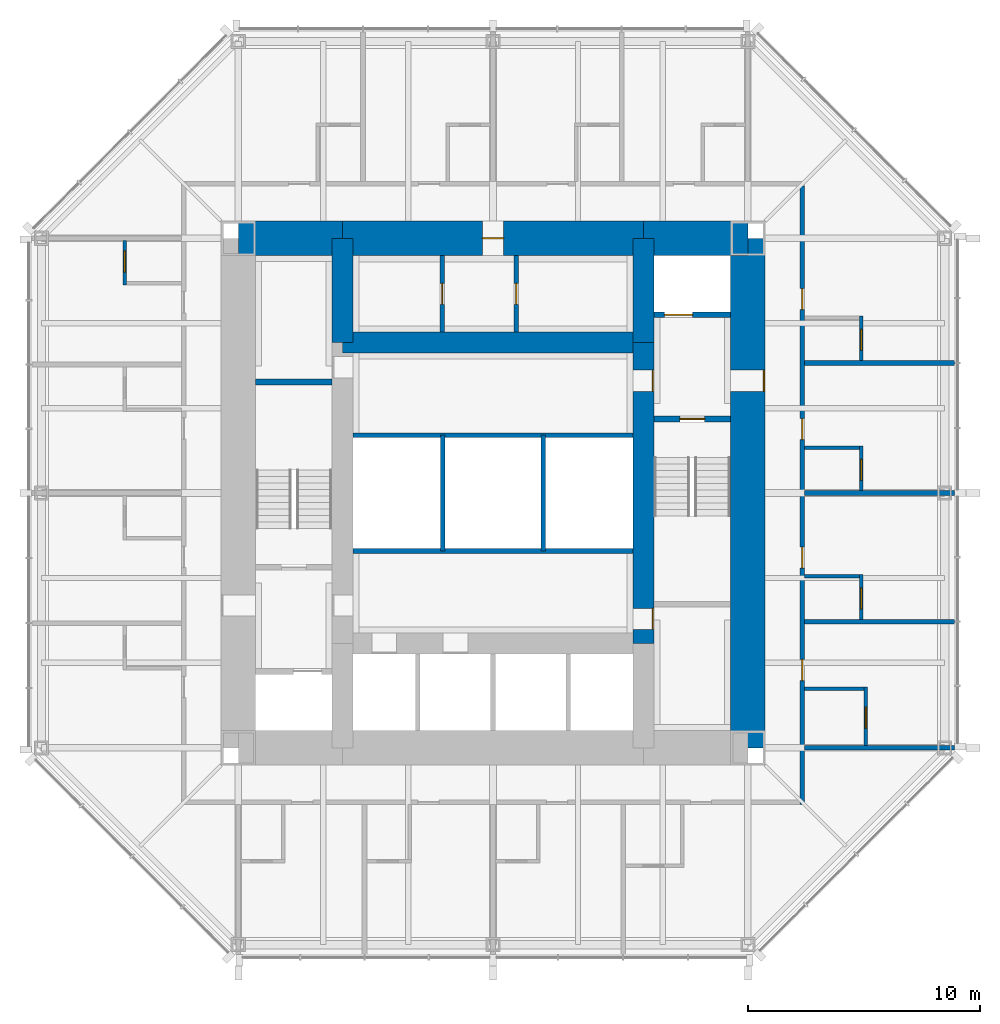
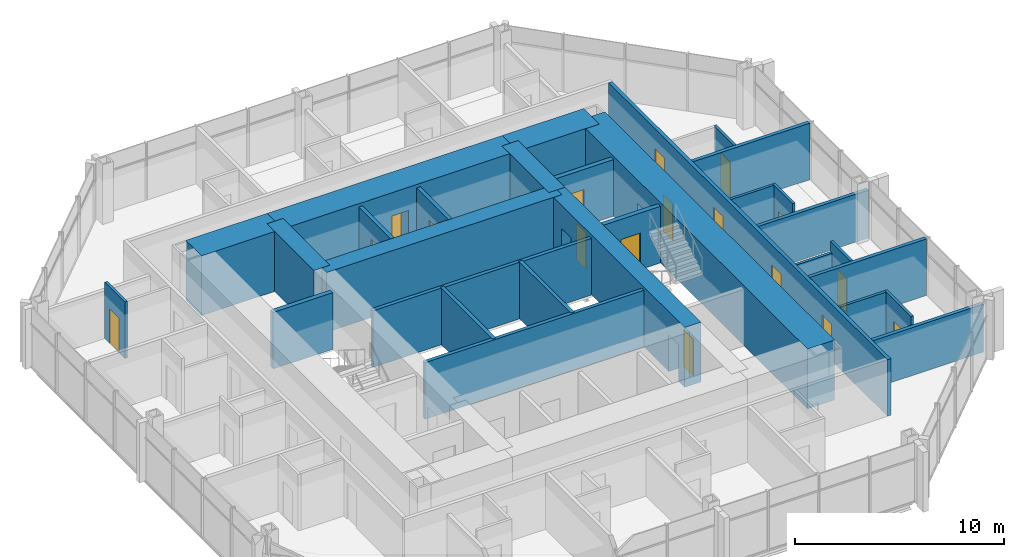
# One storey, part 9 of 12: 30 walls, 17 doors, 17 openings.
"""IFC4 building model written with IfcOpenShell, lengths in metres."""

import ifcopenshell
import ifcopenshell.guid

model = None  # the IFC model being written
_history = None  # IfcOwnerHistory: only IFC2X3 demands one
_inside = {}  # id of a spatial element -> (the spatial element, [elements in it])
_under = {}  # id of a project, library or spatial element -> (it, [spatial elements below it])
_declared = {}  # id of a project -> (the project, [libraries it declares])
_typed = {}  # id of a type object -> (the type object, [elements of that type])
_made_of = {}  # id of a material, layer set ... -> (it, [elements and type objects made of it])


def new_model(schema):
    """Start an empty IFC model of exactly this schema.

    Asked for "IFC4X3", IfcOpenShell would pick the latest addendum, in which some entities
    have other attributes; the version numbers below select the first issue.
    IFC2X3 requires an IfcOwnerHistory on every rooted entity: one is made here for all.
    """
    global model, _history
    if schema == "IFC4X3":
        model = ifcopenshell.file(schema_version=(4, 3, 0, 0))
    else:
        model = ifcopenshell.file(schema=schema)
    _inside.clear()
    _under.clear()
    _declared.clear()
    _typed.clear()
    _made_of.clear()
    _history = None
    if model.schema == "IFC2X3":
        org = make("IfcOrganization", Name="unknown")
        user = make(
            "IfcPersonAndOrganization",
            ThePerson=make("IfcPerson", FamilyName="unknown"),
            TheOrganization=org,
        )
        app = make(
            "IfcApplication",
            ApplicationDeveloper=org,
            Version="unknown",
            ApplicationFullName="unknown",
            ApplicationIdentifier="unknown",
        )
        _history = make(
            "IfcOwnerHistory",
            OwningUser=user,
            OwningApplication=app,
            ChangeAction="ADDED",
            CreationDate=0,
        )
    return model


def make(cls, **values):
    """One entity of the class cls with the attributes given. An attribute that is None is left unset."""
    return model.create_entity(
        cls, **{name: value for name, value in values.items() if value is not None}
    )


def rooted(cls, **values):
    """An entity with a GlobalId (a new one), such as an element, a storey or a relation."""
    return make(cls, GlobalId=ifcopenshell.guid.new(), OwnerHistory=_history, **values)


def si_unit(unit_type, name, prefix=None):
    """IfcSIUnit, for example si_unit("LENGTHUNIT", "METRE", prefix="MILLI")."""
    return make("IfcSIUnit", UnitType=unit_type, Prefix=prefix, Name=name)


def assignment(units):
    """IfcUnitAssignment: the units of a project."""
    return None if units is None else make("IfcUnitAssignment", Units=units)


def point(xyz):
    """IfcCartesianPoint."""
    return None if xyz is None else make("IfcCartesianPoint", Coordinates=xyz)


def direction(xyz):
    """IfcDirection."""
    return None if xyz is None else make("IfcDirection", DirectionRatios=xyz)


def frame(location, z_axis=None, x_axis=None):
    """IfcAxis2Placement3D, a coordinate frame: its origin and axes. An axis left out is left unset."""
    return make(
        "IfcAxis2Placement3D",
        Location=point(location),
        Axis=direction(z_axis),
        RefDirection=direction(x_axis),
    )


def frame_2d(location, x_axis=None):
    """IfcAxis2Placement2D, a coordinate frame in the plane: its origin and x axis."""
    return make(
        "IfcAxis2Placement2D", Location=point(location), RefDirection=direction(x_axis)
    )


def origin():
    """The frame at (0, 0, 0) with its axes left unset."""
    return frame((0.0, 0.0, 0.0))


def place(relative_to, where):
    """IfcLocalPlacement: puts the frame where relative to a parent placement (None: the world)."""
    return make(
        "IfcLocalPlacement", PlacementRelTo=relative_to, RelativePlacement=where
    )


def context(
    kind, dimensions, precision=None, world=None, true_north=None, identifier=None
):
    """IfcGeometricRepresentationContext, for example the 3D "Model" context."""
    return make(
        "IfcGeometricRepresentationContext",
        ContextIdentifier=identifier,
        ContextType=kind,
        CoordinateSpaceDimension=dimensions,
        Precision=precision,
        WorldCoordinateSystem=world,
        TrueNorth=true_north,
    )


def subcontext(parent, identifier, kind, view, scale=None):
    """IfcGeometricRepresentationSubContext, for example "Body" below "Model"."""
    return make(
        "IfcGeometricRepresentationSubContext",
        ContextIdentifier=identifier,
        ContextType=kind,
        ParentContext=parent,
        TargetScale=scale,
        TargetView=view,
    )


def project(units=None, contexts=None):
    """IfcProject with its units and contexts."""
    return rooted(
        "IfcProject",
        Name="project",
        RepresentationContexts=contexts,
        UnitsInContext=assignment(units),
    )


def spatial(cls, under=None, at=None, **own):
    """A site, building, storey or space (cls), placed at a placement, below another one or the project."""
    s = rooted(cls, ObjectPlacement=at, **own)
    if under is not None:
        _under.setdefault(under.id(), (under, []))[1].append(s)
    return s


def profile(cls, at=None, kind="AREA", **sizes):
    """A parametric profile (cls). Its sizes go by their IFC names, for example OverallWidth=200.0."""
    return make(cls, ProfileType=kind, Position=at, **sizes)


def rectangle(**sizes):
    """IfcRectangleProfileDef."""
    return profile("IfcRectangleProfileDef", **sizes)


def extrude(swept, where, along, depth):
    """IfcExtrudedAreaSolid: the profile swept, set in the frame where, extruded along a direction by depth."""
    return make(
        "IfcExtrudedAreaSolid",
        SweptArea=swept,
        Position=where,
        ExtrudedDirection=direction(along),
        Depth=depth,
    )


def shape(context_of_items, identifier, shape_type, items):
    """IfcShapeRepresentation: the items that make up one representation, for example the "Body"."""
    return make(
        "IfcShapeRepresentation",
        ContextOfItems=context_of_items,
        RepresentationIdentifier=identifier,
        RepresentationType=shape_type,
        Items=items,
    )


def material(Name=None, Category=None):
    """IfcMaterial."""
    return make("IfcMaterial", Name=Name, Category=Category)


def layer(
    of_material, thickness, ventilated=None, Name=None, Category=None, Priority=None
):
    """IfcMaterialLayer: one layer of a wall or slab, of a material (None: an air gap)."""
    return make(
        "IfcMaterialLayer",
        Material=of_material,
        LayerThickness=thickness,
        IsVentilated=ventilated,
        Name=Name,
        Category=Category,
        Priority=Priority,
    )


def layer_set(layers, Name=None):
    """IfcMaterialLayerSet."""
    return make("IfcMaterialLayerSet", MaterialLayers=layers, LayerSetName=Name)


def made_of(thing, what):
    """Note that an element or type object is made of a material, layer set ...; save() writes the relation."""
    if what is not None:
        _made_of.setdefault(what.id(), (what, []))[1].append(thing)
    return thing


def type_object(cls, material=None, **own):
    """A type object (cls), such as IfcWallType, which elements share."""
    return made_of(rooted(cls, **own), material)


def element(
    cls,
    number,
    at=None,
    inside=None,
    cuts=None,
    type_object=None,
    material=None,
    context=None,
    identifier="Body",
    shape_type=None,
    held_by="IfcProductDefinitionShape",
    body=None,
    shapes=None,
    **own,
):
    """One element of the class cls, such as IfcWall. Its Tag is "e" and its number.

    at: its placement. inside: the storey or other place that contains it. cuts: it is an
    opening in that element (IfcRelVoidsElement). A single representation is given by context,
    identifier, shape_type and body (its items); several are given by shapes. held_by: the class
    of the entity that holds the representations. save() writes the other relations.
    """
    e = rooted(cls, Tag="e%d" % number, ObjectPlacement=at, **own)
    if body is not None:
        shapes = [shape(context, identifier, shape_type, body)]
    if shapes is not None:
        e.Representation = make(held_by, Representations=shapes)
    if inside is not None:
        _inside.setdefault(inside.id(), (inside, []))[1].append(e)
    if cuts is not None:
        rooted(
            "IfcRelVoidsElement", RelatingBuildingElement=cuts, RelatedOpeningElement=e
        )
    if type_object is not None:
        _typed.setdefault(type_object.id(), (type_object, []))[1].append(e)
    return made_of(e, material)


def fill(opening, filler):
    """IfcRelFillsElement: the door or window that sits in an opening."""
    return rooted(
        "IfcRelFillsElement",
        RelatingOpeningElement=opening,
        RelatedBuildingElement=filler,
    )


def aggregate(whole, parts):
    """IfcRelAggregates: a whole, such as a stair, and the parts it consists of."""
    return rooted("IfcRelAggregates", RelatingObject=whole, RelatedObjects=parts)


def save(model, path):
    """Write the relations noted so far, then the file.

    IfcRelAggregates (storeys below a building ...), IfcRelContainedInSpatialStructure (elements
    in a storey), IfcRelDefinesByType, IfcRelAssociatesMaterial and IfcRelDeclares: one each for
    every whole, place, type object, material and project.
    """
    for whole, parts in _under.values():
        aggregate(whole, parts)
    for where, things in _inside.values():
        rooted(
            "IfcRelContainedInSpatialStructure",
            RelatedElements=things,
            RelatingStructure=where,
        )
    for kind, things in _typed.values():
        rooted("IfcRelDefinesByType", RelatedObjects=things, RelatingType=kind)
    for what, things in _made_of.values():
        rooted("IfcRelAssociatesMaterial", RelatedObjects=things, RelatingMaterial=what)
    for by, libraries in _declared.values():
        rooted("IfcRelDeclares", RelatingContext=by, RelatedDefinitions=libraries)
    model.write(path)


model = new_model("IFC4")

# Units and contexts
model_context = context("Model", 3, precision=1e-05, world=origin(), true_north=direction((0.0, 1.0)))
body_context = subcontext(model_context, "Body", "Model", "MODEL_VIEW")
ifc_project = project(units=[si_unit("LENGTHUNIT", "METRE"), si_unit("AREAUNIT", "SQUARE_METRE"), si_unit("VOLUMEUNIT", "CUBIC_METRE"), si_unit("PLANEANGLEUNIT", "RADIAN"), si_unit("MASSUNIT", "GRAM", prefix="KILO")], contexts=[model_context])

# Site, building, storey
site_placement = place(None, origin())
site = spatial("IfcSite", under=ifc_project, at=site_placement, CompositionType="ELEMENT")
building_placement = place(site_placement, origin())
building = spatial("IfcBuilding", under=site, at=building_placement, Name="Trevanion Tower", CompositionType="ELEMENT")
storey_placement = place(building_placement, frame((0.0, 0.0, 194.199951171875)))
storey = spatial("IfcBuildingStorey", under=building, at=storey_placement, Name="L45", CompositionType="ELEMENT", Elevation=194.199951171875)

# Wall, opening, door
ifc_material_1 = material(Name="Concrete 10,000 psi", Category="concrete")
ifc_layer_1 = layer(ifc_material_1, 1.5)
ifc_layer_set_1 = layer_set([ifc_layer_1], Name="CW1 core wall 1500")
wall_type_1 = type_object("IfcWallType", Name="CW1 core wall 1500", PredefinedType="SHEAR", material=ifc_layer_set_1)
wall_1_placement = place(storey_placement, frame((11.0, -11.0, 0.0), z_axis=(0.0, 0.0, 1.0), x_axis=(0.0, 1.0, 0.0)))
wall_1 = element("IfcWall", 1, at=wall_1_placement, inside=storey, type_object=wall_type_1, Name="CW1 CE L45", PredefinedType="SHEAR", context=body_context, shape_type="SweptSolid", body=[
    extrude(rectangle(XDim=22.0, YDim=1.5, at=frame_2d((11.0, 0.0))), origin(), (0.0, 0.0, 1.0), 3.5),
])
opening_1_placement = place(wall_1_placement, frame((15.392578125, 0.0, 0.0)))
opening_1 = element("IfcOpeningElement", 2, at=opening_1_placement, cuts=wall_1, Name="Opening 45-001", PredefinedType="OPENING", context=body_context, shape_type="SweptSolid", body=[
    extrude(rectangle(XDim=0.9150390625, YDim=2.134033203125, at=frame_2d((0.45751953125, 1.06689453125))), frame((0.0, 0.760009765625, 0.0), z_axis=(0.0, -1.0, 0.0), x_axis=(1.0, 0.0, 0.0)), (0.0, 0.0, 1.0), 1.52001953125),
])
ifc_material_2 = material(Name="Hollow metal, fire rated", Category="steel")
door_type_1 = type_object("IfcDoorType", Name="D3 fire lift lobby door", OperationType="SINGLE_SWING_RIGHT", PredefinedType="DOOR", material=ifc_material_2)
door_1_placement = place(opening_1_placement, origin())
door_1 = element("IfcDoor", 3, at=door_1_placement, inside=storey, type_object=door_type_1, Name="Door 45-001", OperationType="SINGLE_SWING_RIGHT", OverallHeight=2.134033203125, OverallWidth=0.9150390625, PredefinedType="DOOR", context=body_context, shape_type="SweptSolid", body=[
    extrude(rectangle(XDim=0.9150390625, YDim=2.134033203125, at=frame_2d((0.45751953125, 1.06689453125))), frame((0.0, -0.6748046875, 0.0), z_axis=(0.0, -1.0, 0.0), x_axis=(1.0, 0.0, 0.0)), (0.0, 0.0, 1.0), 0.050048828125),
])
fill(opening_1, door_1)

# Wall
wall_2_placement = place(storey_placement, frame((11.0, 11.0, 0.0), z_axis=(0.0, 0.0, 1.0), x_axis=(-1.0, 0.0, 0.0)))
element("IfcWall", 4, at=wall_2_placement, inside=storey, type_object=wall_type_1, Name="CW1 CN1 L45", PredefinedType="SHEAR", context=body_context, shape_type="SweptSolid", body=[
    extrude(rectangle(XDim=4.5, YDim=1.5, at=frame_2d((2.25, 0.0))), origin(), (0.0, 0.0, 1.0), 3.5),
])

# Wall, opening, door
wall_3_placement = place(storey_placement, frame((6.5, 11.0, 0.0), z_axis=(0.0, 0.0, 1.0), x_axis=(-1.0, 0.0, 0.0)))
wall_3 = element("IfcWall", 5, at=wall_3_placement, inside=storey, type_object=wall_type_1, Name="CW1 CN2 L45", PredefinedType="SHEAR", context=body_context, shape_type="SweptSolid", body=[
    extrude(rectangle(XDim=13.0, YDim=1.5, at=frame_2d((6.5, 0.0))), origin(), (0.0, 0.0, 1.0), 3.5),
])
opening_2_placement = place(wall_3_placement, frame((6.04248046875, 0.0, 0.0)))
opening_2 = element("IfcOpeningElement", 6, at=opening_2_placement, cuts=wall_3, Name="Opening 45-013", PredefinedType="OPENING", context=body_context, shape_type="SweptSolid", body=[
    extrude(rectangle(XDim=0.9150390625, YDim=2.134033203125, at=frame_2d((0.45751953125, 1.06689453125))), frame((0.0, 0.760009765625, 0.0), z_axis=(0.0, -1.0, 0.0), x_axis=(1.0, 0.0, 0.0)), (0.0, 0.0, 1.0), 1.52001953125),
])
ifc_material_3 = material(Name="Hollow metal, fire rated", Category="steel")
door_type_2 = type_object("IfcDoorType", Name="D5 service room door", OperationType="SINGLE_SWING_RIGHT", PredefinedType="DOOR", material=ifc_material_3)
door_2_placement = place(opening_2_placement, origin())
door_2 = element("IfcDoor", 7, at=door_2_placement, inside=storey, type_object=door_type_2, Name="Door 45-013", OperationType="SINGLE_SWING_RIGHT", OverallHeight=2.134033203125, OverallWidth=0.9150390625, PredefinedType="DOOR", context=body_context, shape_type="SweptSolid", body=[
    extrude(rectangle(XDim=0.9150390625, YDim=2.134033203125, at=frame_2d((0.45751953125, 1.06689453125))), frame((0.0, 0.02490234375, 0.0), z_axis=(0.0, -1.0, 0.0), x_axis=(1.0, 0.0, 0.0)), (0.0, 0.0, 1.0), 0.050048828125),
])
fill(opening_2, door_2)

# Wall
wall_4_placement = place(storey_placement, frame((-6.5, 11.0, 0.0), z_axis=(0.0, 0.0, 1.0), x_axis=(-1.0, 0.0, 0.0)))
element("IfcWall", 8, at=wall_4_placement, inside=storey, type_object=wall_type_1, Name="CW1 CN3 L45", PredefinedType="SHEAR", context=body_context, shape_type="SweptSolid", body=[
    extrude(rectangle(XDim=4.5, YDim=1.5, at=frame_2d((2.25, 0.0))), origin(), (0.0, 0.0, 1.0), 3.5),
])

# Wall, openings, doors
ifc_material_4 = material(Name="Concrete 10,000 psi", Category="concrete")
ifc_layer_2 = layer(ifc_material_4, 0.89990234375)
ifc_layer_set_2 = layer_set([ifc_layer_2], Name="CW2 core wall 900")
wall_type_2 = type_object("IfcWallType", Name="CW2 core wall 900", PredefinedType="SHEAR", material=ifc_layer_set_2)
wall_5_placement = place(storey_placement, frame((6.5, -6.5, 0.0), z_axis=(0.0, 0.0, 1.0), x_axis=(0.0, 1.0, 0.0)))
wall_5 = element("IfcWall", 9, at=wall_5_placement, inside=storey, type_object=wall_type_2, Name="CW2 RE2 L45", PredefinedType="SHEAR", context=body_context, shape_type="SweptSolid", body=[
    extrude(rectangle(XDim=13.0, YDim=0.89990234375, at=frame_2d((6.5, 0.0))), origin(), (0.0, 0.0, 1.0), 3.5),
])
opening_3_placement = place(wall_5_placement, frame((10.892578125, 0.0, 0.0)))
opening_3 = element("IfcOpeningElement", 10, at=opening_3_placement, cuts=wall_5, Name="Opening 45-003", PredefinedType="OPENING", context=body_context, shape_type="SweptSolid", body=[
    extrude(rectangle(XDim=0.9150390625, YDim=2.134033203125, at=frame_2d((0.45751953125, 1.06689453125))), frame((0.0, 0.4599609375, 0.0), z_axis=(0.0, -1.0, 0.0), x_axis=(1.0, 0.0, 0.0)), (0.0, 0.0, 1.0), 0.919921875),
])
opening_4_placement = place(wall_5_placement, frame((0.610107421875, 0.0, 0.0)))
opening_4 = element("IfcOpeningElement", 11, at=opening_4_placement, cuts=wall_5, Name="Opening 45-009", PredefinedType="OPENING", context=body_context, shape_type="SweptSolid", body=[
    extrude(rectangle(XDim=0.9150390625, YDim=2.134033203125, at=frame_2d((0.45751953125, 1.06689453125))), frame((0.0, 0.4599609375, 0.0), z_axis=(0.0, -1.0, 0.0), x_axis=(1.0, 0.0, 0.0)), (0.0, 0.0, 1.0), 0.919921875),
])
door_3_placement = place(opening_3_placement, origin())
door_3 = element("IfcDoor", 12, at=door_3_placement, inside=storey, type_object=door_type_1, Name="Door 45-003", OperationType="SINGLE_SWING_RIGHT", OverallHeight=2.134033203125, OverallWidth=0.9150390625, PredefinedType="DOOR", context=body_context, shape_type="SweptSolid", body=[
    extrude(rectangle(XDim=0.9150390625, YDim=2.134033203125, at=frame_2d((0.45751953125, 1.06689453125))), frame((0.0, -0.375, 0.0), z_axis=(0.0, -1.0, 0.0), x_axis=(1.0, 0.0, 0.0)), (0.0, 0.0, 1.0), 0.050048828125),
])
fill(opening_3, door_3)
door_4_placement = place(opening_4_placement, origin())
door_4 = element("IfcDoor", 13, at=door_4_placement, inside=storey, type_object=door_type_2, Name="Door 45-009", OperationType="SINGLE_SWING_RIGHT", OverallHeight=2.134033203125, OverallWidth=0.9150390625, PredefinedType="DOOR", context=body_context, shape_type="SweptSolid", body=[
    extrude(rectangle(XDim=0.9150390625, YDim=2.134033203125, at=frame_2d((0.45751953125, 1.06689453125))), frame((0.0, -0.375, 0.0), z_axis=(0.0, -1.0, 0.0), x_axis=(1.0, 0.0, 0.0)), (0.0, 0.0, 1.0), 0.050048828125),
])
fill(opening_4, door_4)

# Walls
for number, where, z_axis, x_axis, name in (
    (14, (6.5, 6.5, 0.0), (0.0, 0.0, 1.0), (0.0, 1.0, 0.0), "CW2 RE3 L45"),
    (15, (-6.5, 11.0, 0.0), (0.0, 0.0, 1.0), (0.0, -1.0, 0.0), "CW2 RW1 L45"),
):
    element("IfcWall", number, at=place(storey_placement, frame(where, z_axis=z_axis, x_axis=x_axis)), inside=storey, type_object=wall_type_2, Name=name, PredefinedType="SHEAR", context=body_context, shape_type="SweptSolid", body=[
        extrude(rectangle(XDim=4.5, YDim=0.89990234375, at=frame_2d((2.25, 0.0))), origin(), (0.0, 0.0, 1.0), 3.5),
    ])
wall_6_placement = place(storey_placement, frame((6.5, 6.5, 0.0), z_axis=(0.0, 0.0, 1.0), x_axis=(-1.0, 0.0, 0.0)))
element("IfcWall", 16, at=wall_6_placement, inside=storey, type_object=wall_type_2, Name="CW2 RN L45", PredefinedType="SHEAR", context=body_context, shape_type="SweptSolid", body=[
    extrude(rectangle(XDim=13.0, YDim=0.89990234375, at=frame_2d((6.5, 0.0))), origin(), (0.0, 0.0, 1.0), 3.5),
])

# Wall, opening, door
ifc_material_5 = material(Name="Gypsum board on steel studs", Category="steel")
ifc_layer_3 = layer(ifc_material_5, 0.14990234375)
ifc_layer_set_3 = layer_set([ifc_layer_3], Name="PT1 partition 150")
wall_type_3 = type_object("IfcWallType", Name="PT1 partition 150", PredefinedType="PARTITIONING", material=ifc_layer_set_3)
wall_7_placement = place(storey_placement, frame((16.10009765625, -10.89990234375, 0.0), z_axis=(0.0, 0.0, 1.0), x_axis=(0.0, 1.0, 0.0)))
wall_7 = element("IfcWall", 17, at=wall_7_placement, inside=storey, type_object=wall_type_3, Name="PT1 L45 BA00", PredefinedType="PARTITIONING", context=body_context, shape_type="SweptSolid", body=[
    extrude(rectangle(XDim=2.52490234375, YDim=0.14990234375, at=frame_2d((1.262451171875, 0.0))), origin(), (0.0, 0.0, 1.0), 3.31005859375),
])
opening_5_placement = place(wall_7_placement, frame((0.742431640625, 0.0, 0.0)))
opening_5 = element("IfcOpeningElement", 18, at=opening_5_placement, cuts=wall_7, Name="Opening 45-016", PredefinedType="OPENING", context=body_context, shape_type="SweptSolid", body=[
    extrude(rectangle(XDim=0.9150390625, YDim=2.031982421875, at=frame_2d((0.45751953125, 1.01611328125))), frame((0.0, 0.0849609375, 0.0), z_axis=(0.0, -1.0, 0.0), x_axis=(1.0, 0.0, 0.0)), (0.0, 0.0, 1.0), 0.169921875),
])
ifc_material_6 = material(Name="Timber veneer", Category="wood")
door_type_3 = type_object("IfcDoorType", Name="D7 bathroom door", OperationType="SINGLE_SWING_LEFT", PredefinedType="DOOR", material=ifc_material_6)
door_5_placement = place(opening_5_placement, origin())
door_5 = element("IfcDoor", 19, at=door_5_placement, inside=storey, type_object=door_type_3, Name="Door 45-016", OperationType="SINGLE_SWING_LEFT", OverallHeight=2.031982421875, OverallWidth=0.9150390625, PredefinedType="DOOR", context=body_context, shape_type="SweptSolid", body=[
    extrude(rectangle(XDim=0.9150390625, YDim=2.031982421875, at=frame_2d((0.45751953125, 1.01611328125))), frame((0.0, 0.02490234375, 0.0), z_axis=(0.0, -1.0, 0.0), x_axis=(1.0, 0.0, 0.0)), (0.0, 0.0, 1.0), 0.050048828125),
])
fill(opening_5, door_5)

# Wall
wall_8_placement = place(storey_placement, frame((13.449951171875, -8.449951171875, 0.0), z_axis=(0.0, 0.0, 1.0), x_axis=(1.0, 0.0, 0.0)))
element("IfcWall", 20, at=wall_8_placement, inside=storey, type_object=wall_type_3, Name="PT1 L45 BB00", PredefinedType="PARTITIONING", context=body_context, shape_type="SweptSolid", body=[
    extrude(rectangle(XDim=2.574951171875, YDim=0.14990234375, at=frame_2d((1.28759765625, 0.0))), origin(), (0.0, 0.0, 1.0), 3.31005859375),
])

# Wall, opening, door
wall_9_placement = place(storey_placement, frame((15.89990234375, -5.448974609375, 0.0), z_axis=(0.0, 0.0, 1.0), x_axis=(0.0, 1.0, 0.0)))
wall_9 = element("IfcWall", 21, at=wall_9_placement, inside=storey, type_object=wall_type_3, Name="PT1 L45 BA01", PredefinedType="PARTITIONING", context=body_context, shape_type="SweptSolid", body=[
    extrude(rectangle(XDim=1.925048828125, YDim=0.14990234375, at=frame_2d((0.96240234375, 0.0))), origin(), (0.0, 0.0, 1.0), 3.31005859375),
])
opening_6_placement = place(wall_9_placement, frame((0.4423828125, 0.0, 0.0)))
opening_6 = element("IfcOpeningElement", 22, at=opening_6_placement, cuts=wall_9, Name="Opening 45-018", PredefinedType="OPENING", context=body_context, shape_type="SweptSolid", body=[
    extrude(rectangle(XDim=0.9150390625, YDim=2.031982421875, at=frame_2d((0.45751953125, 1.01611328125))), frame((0.0, 0.0849609375, 0.0), z_axis=(0.0, -1.0, 0.0), x_axis=(1.0, 0.0, 0.0)), (0.0, 0.0, 1.0), 0.169921875),
])
door_6_placement = place(opening_6_placement, origin())
door_6 = element("IfcDoor", 23, at=door_6_placement, inside=storey, type_object=door_type_3, Name="Door 45-018", OperationType="SINGLE_SWING_LEFT", OverallHeight=2.031982421875, OverallWidth=0.9150390625, PredefinedType="DOOR", context=body_context, shape_type="SweptSolid", body=[
    extrude(rectangle(XDim=0.9150390625, YDim=2.031982421875, at=frame_2d((0.45751953125, 1.01611328125))), frame((0.0, 0.02490234375, 0.0), z_axis=(0.0, -1.0, 0.0), x_axis=(1.0, 0.0, 0.0)), (0.0, 0.0, 1.0), 0.050048828125),
])
fill(opening_6, door_6)

# Wall
wall_10_placement = place(storey_placement, frame((13.449951171875, -3.59912109375, 0.0), z_axis=(0.0, 0.0, 1.0), x_axis=(1.0, 0.0, 0.0)))
element("IfcWall", 24, at=wall_10_placement, inside=storey, type_object=wall_type_3, Name="PT1 L45 BB01", PredefinedType="PARTITIONING", context=body_context, shape_type="SweptSolid", body=[
    extrude(rectangle(XDim=2.375, YDim=0.14990234375, at=frame_2d((1.1875, 0.0))), origin(), (0.0, 0.0, 1.0), 2.703125),
])

# Wall, opening, door
wall_11_placement = place(storey_placement, frame((15.89990234375, 0.10009765625, 0.0), z_axis=(0.0, 0.0, 1.0), x_axis=(0.0, 1.0, 0.0)))
wall_11 = element("IfcWall", 25, at=wall_11_placement, inside=storey, type_object=wall_type_3, Name="PT1 L45 BA02", PredefinedType="PARTITIONING", context=body_context, shape_type="SweptSolid", body=[
    extrude(rectangle(XDim=1.9248046875, YDim=0.14990234375, at=frame_2d((0.96240234375, 0.0))), origin(), (0.0, 0.0, 1.0), 3.31005859375),
])
opening_7_placement = place(wall_11_placement, frame((0.4423828125, 0.0, 0.0)))
opening_7 = element("IfcOpeningElement", 26, at=opening_7_placement, cuts=wall_11, Name="Opening 45-020", PredefinedType="OPENING", context=body_context, shape_type="SweptSolid", body=[
    extrude(rectangle(XDim=0.9150390625, YDim=2.031982421875, at=frame_2d((0.45751953125, 1.01611328125))), frame((0.0, 0.0849609375, 0.0), z_axis=(0.0, -1.0, 0.0), x_axis=(1.0, 0.0, 0.0)), (0.0, 0.0, 1.0), 0.169921875),
])
door_7_placement = place(opening_7_placement, origin())
door_7 = element("IfcDoor", 27, at=door_7_placement, inside=storey, type_object=door_type_3, Name="Door 45-020", OperationType="SINGLE_SWING_LEFT", OverallHeight=2.031982421875, OverallWidth=0.9150390625, PredefinedType="DOOR", context=body_context, shape_type="SweptSolid", body=[
    extrude(rectangle(XDim=0.9150390625, YDim=2.031982421875, at=frame_2d((0.45751953125, 1.01611328125))), frame((0.0, 0.02490234375, 0.0), z_axis=(0.0, -1.0, 0.0), x_axis=(1.0, 0.0, 0.0)), (0.0, 0.0, 1.0), 0.050048828125),
])
fill(opening_7, door_7)

# Wall
wall_12_placement = place(storey_placement, frame((13.449951171875, 1.949951171875, 0.0), z_axis=(0.0, 0.0, 1.0), x_axis=(1.0, 0.0, 0.0)))
element("IfcWall", 28, at=wall_12_placement, inside=storey, type_object=wall_type_3, Name="PT1 L45 BB02", PredefinedType="PARTITIONING", context=body_context, shape_type="SweptSolid", body=[
    extrude(rectangle(XDim=2.375, YDim=0.14990234375, at=frame_2d((1.1875, 0.0))), origin(), (0.0, 0.0, 1.0), 3.31005859375),
])

# Wall, opening, door
wall_13_placement = place(storey_placement, frame((15.89990234375, 5.714111328125, 0.0), z_axis=(0.0, 0.0, 1.0), x_axis=(0.0, 1.0, 0.0)))
wall_13 = element("IfcWall", 29, at=wall_13_placement, inside=storey, type_object=wall_type_3, Name="PT1 L45 BA03", PredefinedType="PARTITIONING", context=body_context, shape_type="SweptSolid", body=[
    extrude(rectangle(XDim=1.9248046875, YDim=0.14990234375, at=frame_2d((0.96240234375, 0.0))), origin(), (0.0, 0.0, 1.0), 3.31005859375),
])
opening_8_placement = place(wall_13_placement, frame((0.4423828125, 0.0, 0.0)))
opening_8 = element("IfcOpeningElement", 30, at=opening_8_placement, cuts=wall_13, Name="Opening 45-022", PredefinedType="OPENING", context=body_context, shape_type="SweptSolid", body=[
    extrude(rectangle(XDim=0.9150390625, YDim=2.031982421875, at=frame_2d((0.45751953125, 1.01611328125))), frame((0.0, 0.0849609375, 0.0), z_axis=(0.0, -1.0, 0.0), x_axis=(1.0, 0.0, 0.0)), (0.0, 0.0, 1.0), 0.169921875),
])
door_8_placement = place(opening_8_placement, origin())
door_8 = element("IfcDoor", 31, at=door_8_placement, inside=storey, type_object=door_type_3, Name="Door 45-022", OperationType="SINGLE_SWING_LEFT", OverallHeight=2.031982421875, OverallWidth=0.9150390625, PredefinedType="DOOR", context=body_context, shape_type="SweptSolid", body=[
    extrude(rectangle(XDim=0.9150390625, YDim=2.031982421875, at=frame_2d((0.45751953125, 1.01611328125))), frame((0.0, 0.02490234375, 0.0), z_axis=(0.0, -1.0, 0.0), x_axis=(1.0, 0.0, 0.0)), (0.0, 0.0, 1.0), 0.050048828125),
])
fill(opening_8, door_8)

wall_14_placement = place(storey_placement, frame((-15.89990234375, 10.89990234375, 0.0), z_axis=(0.0, 0.0, 1.0), x_axis=(0.0, -1.0, 0.0)))
wall_14 = element("IfcWall", 32, at=wall_14_placement, inside=storey, type_object=wall_type_3, Name="PT1 L45 BA20", PredefinedType="PARTITIONING", context=body_context, shape_type="SweptSolid", body=[
    extrude(rectangle(XDim=1.9248046875, YDim=0.14990234375, at=frame_2d((0.96240234375, 0.0))), origin(), (0.0, 0.0, 1.0), 3.31005859375),
])
opening_9_placement = place(wall_14_placement, frame((0.4423828125, 0.0, 0.0)))
opening_9 = element("IfcOpeningElement", 33, at=opening_9_placement, cuts=wall_14, Name="Opening 45-032", PredefinedType="OPENING", context=body_context, shape_type="SweptSolid", body=[
    extrude(rectangle(XDim=0.9150390625, YDim=2.031982421875, at=frame_2d((0.45751953125, 1.01611328125))), frame((0.0, 0.0849609375, 0.0), z_axis=(0.0, -1.0, 0.0), x_axis=(1.0, 0.0, 0.0)), (0.0, 0.0, 1.0), 0.169921875),
])
door_9_placement = place(opening_9_placement, origin())
door_9 = element("IfcDoor", 34, at=door_9_placement, inside=storey, type_object=door_type_3, Name="Door 45-032", OperationType="SINGLE_SWING_LEFT", OverallHeight=2.031982421875, OverallWidth=0.9150390625, PredefinedType="DOOR", context=body_context, shape_type="SweptSolid", body=[
    extrude(rectangle(XDim=0.9150390625, YDim=2.031982421875, at=frame_2d((0.45751953125, 1.01611328125))), frame((0.0, 0.02490234375, 0.0), z_axis=(0.0, -1.0, 0.0), x_axis=(1.0, 0.0, 0.0)), (0.0, 0.0, 1.0), 0.050048828125),
])
fill(opening_9, door_9)

# Walls
ifc_material_7 = material(Name="Concrete masonry, grouted", Category="masonry")
ifc_layer_4 = layer(ifc_material_7, 0.199951171875)
ifc_layer_set_4 = layer_set([ifc_layer_4], Name="PT2 partition 200 1 HR")
wall_type_4 = type_object("IfcWallType", Name="PT2 partition 200 1 HR", PredefinedType="PARTITIONING", material=ifc_layer_set_4)
for number, where, z_axis, x_axis, name in (
    (35, (-6.050048828125, 2.5, 0.0), (0.0, 0.0, 1.0), (1.0, 0.0, 0.0), "PT2 L45 CP1"),
    (36, (6.050048828125, -2.5, 0.0), (0.0, 0.0, 1.0), (-1.0, 0.0, 0.0), "PT2 L45 CP2"),
):
    element("IfcWall", number, at=place(storey_placement, frame(where, z_axis=z_axis, x_axis=x_axis)), inside=storey, type_object=wall_type_4, Name=name, PredefinedType="PARTITIONING", context=body_context, shape_type="SweptSolid", body=[
        extrude(rectangle(XDim=12.10009765625, YDim=0.199951171875, at=frame_2d((6.050048828125, 0.0))), origin(), (0.0, 0.0, 1.0), 3.31005859375),
    ])

# Wall, opening, door
wall_15_placement = place(storey_placement, frame((-2.199951171875, 6.949951171875, 0.0), z_axis=(0.0, 0.0, 1.0), x_axis=(0.0, 1.0, 0.0)))
wall_15 = element("IfcWall", 37, at=wall_15_placement, inside=storey, type_object=wall_type_4, Name="PT2 L45 HKP1", PredefinedType="PARTITIONING", context=body_context, shape_type="SweptSolid", body=[
    extrude(rectangle(XDim=3.300048828125, YDim=0.199951171875, at=frame_2d((1.64990234375, 0.0))), origin(), (0.0, 0.0, 1.0), 3.31005859375),
])
opening_10_placement = place(wall_15_placement, frame((1.1923828125, 0.0, 0.0)))
opening_10 = element("IfcOpeningElement", 38, at=opening_10_placement, cuts=wall_15, Name="Opening 45-014", PredefinedType="OPENING", context=body_context, shape_type="SweptSolid", body=[
    extrude(rectangle(XDim=0.9150390625, YDim=2.134033203125, at=frame_2d((0.45751953125, 1.06689453125))), frame((0.0, 0.10986328125, 0.0), z_axis=(0.0, -1.0, 0.0), x_axis=(1.0, 0.0, 0.0)), (0.0, 0.0, 1.0), 0.219970703125),
])
door_10_placement = place(opening_10_placement, origin())
door_10 = element("IfcDoor", 39, at=door_10_placement, inside=storey, type_object=door_type_2, Name="Door 45-014", OperationType="SINGLE_SWING_RIGHT", OverallHeight=2.134033203125, OverallWidth=0.9150390625, PredefinedType="DOOR", context=body_context, shape_type="SweptSolid", body=[
    extrude(rectangle(XDim=0.9150390625, YDim=2.134033203125, at=frame_2d((0.45751953125, 1.06689453125))), frame((0.0, 0.02490234375, 0.0), z_axis=(0.0, -1.0, 0.0), x_axis=(1.0, 0.0, 0.0)), (0.0, 0.0, 1.0), 0.050048828125),
])
fill(opening_10, door_10)

wall_16_placement = place(storey_placement, frame((1.0, 6.949951171875, 0.0), z_axis=(0.0, 0.0, 1.0), x_axis=(0.0, 1.0, 0.0)))
wall_16 = element("IfcWall", 40, at=wall_16_placement, inside=storey, type_object=wall_type_4, Name="PT2 L45 HKP2", PredefinedType="PARTITIONING", context=body_context, shape_type="SweptSolid", body=[
    extrude(rectangle(XDim=3.300048828125, YDim=0.199951171875, at=frame_2d((1.64990234375, 0.0))), origin(), (0.0, 0.0, 1.0), 3.31005859375),
])
opening_11_placement = place(wall_16_placement, frame((1.1923828125, 0.0, 0.0)))
opening_11 = element("IfcOpeningElement", 41, at=opening_11_placement, cuts=wall_16, Name="Opening 45-015", PredefinedType="OPENING", context=body_context, shape_type="SweptSolid", body=[
    extrude(rectangle(XDim=0.9150390625, YDim=2.134033203125, at=frame_2d((0.45751953125, 1.06689453125))), frame((0.0, 0.10986328125, 0.0), z_axis=(0.0, -1.0, 0.0), x_axis=(1.0, 0.0, 0.0)), (0.0, 0.0, 1.0), 0.219970703125),
])
door_11_placement = place(opening_11_placement, origin())
door_11 = element("IfcDoor", 42, at=door_11_placement, inside=storey, type_object=door_type_2, Name="Door 45-015", OperationType="SINGLE_SWING_RIGHT", OverallHeight=2.134033203125, OverallWidth=0.9150390625, PredefinedType="DOOR", context=body_context, shape_type="SweptSolid", body=[
    extrude(rectangle(XDim=0.9150390625, YDim=2.134033203125, at=frame_2d((0.45751953125, 1.06689453125))), frame((0.0, 0.02490234375, 0.0), z_axis=(0.0, -1.0, 0.0), x_axis=(1.0, 0.0, 0.0)), (0.0, 0.0, 1.0), 0.050048828125),
])
fill(opening_11, door_11)

# Wall, openings, doors
wall_17_placement = place(storey_placement, frame((13.35009765625, -13.449951171875, 0.0), z_axis=(0.0, 0.0, 1.0), x_axis=(0.0, 1.0, 0.0)))
wall_17 = element("IfcWall", 43, at=wall_17_placement, inside=storey, type_object=wall_type_4, Name="PT2 L45 HC0", PredefinedType="PARTITIONING", context=body_context, shape_type="SweptSolid", body=[
    extrude(rectangle(XDim=26.699951171875, YDim=0.199951171875, at=frame_2d((13.35009765625, 0.0))), origin(), (0.0, 0.0, 1.0), 3.31005859375),
])
opening_12_placement = place(wall_17_placement, frame((5.3525390625, 0.0, 0.0)))
opening_12 = element("IfcOpeningElement", 44, at=opening_12_placement, cuts=wall_17, Name="Opening 45-017", PredefinedType="OPENING", context=body_context, shape_type="SweptSolid", body=[
    extrude(rectangle(XDim=0.9150390625, YDim=2.134033203125, at=frame_2d((0.45751953125, 1.06689453125))), frame((0.0, 0.10986328125, 0.0), z_axis=(0.0, -1.0, 0.0), x_axis=(1.0, 0.0, 0.0)), (0.0, 0.0, 1.0), 0.219970703125),
])
opening_13_placement = place(wall_17_placement, frame((10.20361328125, 0.0, 0.0)))
opening_13 = element("IfcOpeningElement", 45, at=opening_13_placement, cuts=wall_17, Name="Opening 45-019", PredefinedType="OPENING", context=body_context, shape_type="SweptSolid", body=[
    extrude(rectangle(XDim=0.9150390625, YDim=2.134033203125, at=frame_2d((0.45751953125, 1.06689453125))), frame((0.0, 0.10986328125, 0.0), z_axis=(0.0, -1.0, 0.0), x_axis=(1.0, 0.0, 0.0)), (0.0, 0.0, 1.0), 0.219970703125),
])
opening_14_placement = place(wall_17_placement, frame((15.75244140625, 0.0, 0.0)))
opening_14 = element("IfcOpeningElement", 46, at=opening_14_placement, cuts=wall_17, Name="Opening 45-021", PredefinedType="OPENING", context=body_context, shape_type="SweptSolid", body=[
    extrude(rectangle(XDim=0.9150390625, YDim=2.134033203125, at=frame_2d((0.45751953125, 1.06689453125))), frame((0.0, 0.10986328125, 0.0), z_axis=(0.0, -1.0, 0.0), x_axis=(1.0, 0.0, 0.0)), (0.0, 0.0, 1.0), 0.219970703125),
])
opening_15_placement = place(wall_17_placement, frame((21.366455078125, 0.0, 0.0)))
opening_15 = element("IfcOpeningElement", 47, at=opening_15_placement, cuts=wall_17, Name="Opening 45-023", PredefinedType="OPENING", context=body_context, shape_type="SweptSolid", body=[
    extrude(rectangle(XDim=0.9150390625, YDim=2.134033203125, at=frame_2d((0.45751953125, 1.06689453125))), frame((0.0, 0.10986328125, 0.0), z_axis=(0.0, -1.0, 0.0), x_axis=(1.0, 0.0, 0.0)), (0.0, 0.0, 1.0), 0.219970703125),
])
ifc_material_8 = material(Name="Timber veneer, fire rated", Category="wood")
door_type_4 = type_object("IfcDoorType", Name="D6 guest room entrance door", OperationType="SINGLE_SWING_LEFT", PredefinedType="DOOR", material=ifc_material_8)
door_12_placement = place(opening_12_placement, origin())
door_12 = element("IfcDoor", 48, at=door_12_placement, inside=storey, type_object=door_type_4, Name="Door 45-017", OperationType="SINGLE_SWING_LEFT", OverallHeight=2.134033203125, OverallWidth=0.9150390625, PredefinedType="DOOR", context=body_context, shape_type="SweptSolid", body=[
    extrude(rectangle(XDim=0.9150390625, YDim=2.134033203125, at=frame_2d((0.45751953125, 1.06689453125))), frame((0.0, 0.02490234375, 0.0), z_axis=(0.0, -1.0, 0.0), x_axis=(1.0, 0.0, 0.0)), (0.0, 0.0, 1.0), 0.050048828125),
])
fill(opening_12, door_12)
door_13_placement = place(opening_13_placement, origin())
door_13 = element("IfcDoor", 49, at=door_13_placement, inside=storey, type_object=door_type_4, Name="Door 45-019", OperationType="SINGLE_SWING_LEFT", OverallHeight=2.134033203125, OverallWidth=0.9150390625, PredefinedType="DOOR", context=body_context, shape_type="SweptSolid", body=[
    extrude(rectangle(XDim=0.9150390625, YDim=2.134033203125, at=frame_2d((0.45751953125, 1.06689453125))), frame((0.0, 0.02490234375, 0.0), z_axis=(0.0, -1.0, 0.0), x_axis=(1.0, 0.0, 0.0)), (0.0, 0.0, 1.0), 0.050048828125),
])
fill(opening_13, door_13)
door_14_placement = place(opening_14_placement, origin())
door_14 = element("IfcDoor", 50, at=door_14_placement, inside=storey, type_object=door_type_4, Name="Door 45-021", OperationType="SINGLE_SWING_LEFT", OverallHeight=2.134033203125, OverallWidth=0.9150390625, PredefinedType="DOOR", context=body_context, shape_type="SweptSolid", body=[
    extrude(rectangle(XDim=0.9150390625, YDim=2.134033203125, at=frame_2d((0.45751953125, 1.06689453125))), frame((0.0, 0.02490234375, 0.0), z_axis=(0.0, -1.0, 0.0), x_axis=(1.0, 0.0, 0.0)), (0.0, 0.0, 1.0), 0.050048828125),
])
fill(opening_14, door_14)
door_15_placement = place(opening_15_placement, origin())
door_15 = element("IfcDoor", 51, at=door_15_placement, inside=storey, type_object=door_type_4, Name="Door 45-023", OperationType="SINGLE_SWING_LEFT", OverallHeight=2.134033203125, OverallWidth=0.9150390625, PredefinedType="DOOR", context=body_context, shape_type="SweptSolid", body=[
    extrude(rectangle(XDim=0.9150390625, YDim=2.134033203125, at=frame_2d((0.45751953125, 1.06689453125))), frame((0.0, 0.02490234375, 0.0), z_axis=(0.0, -1.0, 0.0), x_axis=(1.0, 0.0, 0.0)), (0.0, 0.0, 1.0), 0.050048828125),
])
fill(opening_15, door_15)

# Walls
wall_18_placement = place(storey_placement, frame((13.449951171875, -11.0, 0.0), z_axis=(0.0, 0.0, 1.0), x_axis=(1.0, 0.0, 0.0)))
element("IfcWall", 52, at=wall_18_placement, inside=storey, type_object=wall_type_4, Name="PT2 L45 HD00", PredefinedType="PARTITIONING", context=body_context, shape_type="SweptSolid", body=[
    extrude(rectangle(XDim=6.465087890625, YDim=0.199951171875, at=frame_2d((3.232421875, 0.0))), origin(), (0.0, 0.0, 1.0), 2.802001953125),
])
wall_19_placement = place(storey_placement, frame((13.449951171875, -5.549072265625, 0.0), z_axis=(0.0, 0.0, 1.0), x_axis=(1.0, 0.0, 0.0)))
element("IfcWall", 53, at=wall_19_placement, inside=storey, type_object=wall_type_4, Name="PT2 L45 HD01", PredefinedType="PARTITIONING", context=body_context, shape_type="SweptSolid", body=[
    extrude(rectangle(XDim=6.465087890625, YDim=0.199951171875, at=frame_2d((3.232421875, 0.0))), origin(), (0.0, 0.0, 1.0), 3.31005859375),
])
wall_20_placement = place(storey_placement, frame((13.449951171875, 0.0, 0.0), z_axis=(0.0, 0.0, 1.0), x_axis=(1.0, 0.0, 0.0)))
element("IfcWall", 54, at=wall_20_placement, inside=storey, type_object=wall_type_4, Name="PT2 L45 HD02", PredefinedType="PARTITIONING", context=body_context, shape_type="SweptSolid", body=[
    extrude(rectangle(XDim=6.465087890625, YDim=0.199951171875, at=frame_2d((3.232421875, 0.0))), origin(), (0.0, 0.0, 1.0), 2.802001953125),
])
wall_21_placement = place(storey_placement, frame((13.449951171875, 5.614013671875, 0.0), z_axis=(0.0, 0.0, 1.0), x_axis=(1.0, 0.0, 0.0)))
element("IfcWall", 55, at=wall_21_placement, inside=storey, type_object=wall_type_4, Name="PT2 L45 HD03", PredefinedType="PARTITIONING", context=body_context, shape_type="SweptSolid", body=[
    extrude(rectangle(XDim=6.465087890625, YDim=0.199951171875, at=frame_2d((3.232421875, 0.0))), origin(), (0.0, 0.0, 1.0), 3.31005859375),
])
ifc_material_9 = material(Name="Concrete masonry, grouted", Category="masonry")
ifc_layer_5 = layer(ifc_material_9, 0.199951171875)
ifc_layer_set_5 = layer_set([ifc_layer_5], Name="PT2 partition 200 2 HR")
wall_type_5 = type_object("IfcWallType", Name="PT2 partition 200 2 HR", PredefinedType="PARTITIONING", material=ifc_layer_set_5)
for number, where, z_axis, x_axis, name in (
    (56, (-2.166748046875, -2.5, 0.0), (0.0, 0.0, 1.0), (0.0, 1.0, 0.0), "PT2 L45 MS0"),
    (57, (2.166748046875, -2.5, 0.0), (0.0, 0.0, 1.0), (0.0, 1.0, 0.0), "PT2 L45 MS1"),
):
    element("IfcWall", number, at=place(storey_placement, frame(where, z_axis=z_axis, x_axis=x_axis)), inside=storey, type_object=wall_type_5, Name=name, PredefinedType="PARTITIONING", context=body_context, shape_type="SweptSolid", body=[
        extrude(rectangle(XDim=5.0, YDim=0.199951171875, at=frame_2d((2.5, 0.0))), origin(), (0.0, 0.0, 1.0), 3.31005859375),
    ])

# Wall, opening, door
ifc_material_10 = material(Name="Concrete masonry, grouted, two-hour", Category="masonry")
ifc_layer_6 = layer(ifc_material_10, 0.25)
ifc_layer_set_6 = layer_set([ifc_layer_6], Name="PT3 partition 250 2 HR")
wall_type_6 = type_object("IfcWallType", Name="PT3 partition 250 2 HR", PredefinedType="PARTITIONING", material=ifc_layer_set_6)
wall_22_placement = place(storey_placement, frame((6.949951171875, 7.699951171875, 0.0), z_axis=(0.0, 0.0, 1.0), x_axis=(1.0, 0.0, 0.0)))
wall_22 = element("IfcWall", 58, at=wall_22_placement, inside=storey, type_object=wall_type_6, Name="PT3 L45 EP3", PredefinedType="PARTITIONING", context=body_context, shape_type="SweptSolid", body=[
    extrude(rectangle(XDim=3.300048828125, YDim=0.25, at=frame_2d((1.64990234375, 0.0))), origin(), (0.0, 0.0, 1.0), 3.31005859375),
])
opening_16_placement = place(wall_22_placement, frame((0.449951171875, 0.0, 0.0)))
opening_16 = element("IfcOpeningElement", 59, at=opening_16_placement, cuts=wall_22, Name="Opening 45-007", PredefinedType="OPENING", context=body_context, shape_type="SweptSolid", body=[
    extrude(rectangle(XDim=1.218994140625, YDim=2.134033203125, at=frame_2d((0.609375, 1.06689453125))), frame((0.0, 0.135009765625, 0.0), z_axis=(0.0, -1.0, 0.0), x_axis=(1.0, 0.0, 0.0)), (0.0, 0.0, 1.0), 0.27001953125),
])
ifc_material_11 = material(Name="Stainless steel, fire rated", Category="steel")
door_type_5 = type_object("IfcDoorType", Name="LD2 fire service lift landing door", OperationType="SLIDING_TO_LEFT", PredefinedType="DOOR", material=ifc_material_11)
door_16_placement = place(opening_16_placement, origin())
door_16 = element("IfcDoor", 60, at=door_16_placement, inside=storey, type_object=door_type_5, Name="Door 45-007", OperationType="SLIDING_TO_LEFT", OverallHeight=2.134033203125, OverallWidth=1.218994140625, PredefinedType="DOOR", context=body_context, shape_type="SweptSolid", body=[
    extrude(rectangle(XDim=1.218994140625, YDim=2.134033203125, at=frame_2d((0.609375, 1.06689453125))), frame((0.0, 0.02490234375, 0.0), z_axis=(0.0, -1.0, 0.0), x_axis=(1.0, 0.0, 0.0)), (0.0, 0.0, 1.0), 0.050048828125),
])
fill(opening_16, door_16)

# Wall
ifc_material_12 = material(Name="Reinforced masonry, fully grouted", Category="masonry")
ifc_layer_7 = layer(ifc_material_12, 0.25)
ifc_layer_set_7 = layer_set([ifc_layer_7], Name="SW1 stair shaft wall 250")
wall_type_7 = type_object("IfcWallType", Name="SW1 stair shaft wall 250", PredefinedType="SOLIDWALL", material=ifc_layer_set_7)
wall_23_placement = place(storey_placement, frame((-6.949951171875, 4.800048828125, 0.0), z_axis=(0.0, 0.0, 1.0), x_axis=(-1.0, 0.0, 0.0)))
element("IfcWall", 61, at=wall_23_placement, inside=storey, type_object=wall_type_7, Name="SW1 L45 WP1", PredefinedType="SOLIDWALL", context=body_context, shape_type="SweptSolid", body=[
    extrude(rectangle(XDim=3.300048828125, YDim=0.25, at=frame_2d((1.64990234375, 0.0))), origin(), (0.0, 0.0, 1.0), 3.31005859375),
])

# Wall, opening, door
wall_24_placement = place(storey_placement, frame((6.949951171875, 3.199951171875, 0.0), z_axis=(0.0, 0.0, 1.0), x_axis=(1.0, 0.0, 0.0)))
wall_24 = element("IfcWall", 62, at=wall_24_placement, inside=storey, type_object=wall_type_7, Name="SW1 L45 EP2", PredefinedType="SOLIDWALL", context=body_context, shape_type="SweptSolid", body=[
    extrude(rectangle(XDim=3.300048828125, YDim=0.25, at=frame_2d((1.64990234375, 0.0))), origin(), (0.0, 0.0, 1.0), 3.31005859375),
])
opening_17_placement = place(wall_24_placement, frame((1.116455078125, 0.0, 0.0)))
opening_17 = element("IfcOpeningElement", 63, at=opening_17_placement, cuts=wall_24, Name="Opening 45-005", PredefinedType="OPENING", context=body_context, shape_type="SweptSolid", body=[
    extrude(rectangle(XDim=1.06689453125, YDim=2.134033203125, at=frame_2d((0.533447265625, 1.06689453125))), frame((0.0, 0.135009765625, 0.0), z_axis=(0.0, -1.0, 0.0), x_axis=(1.0, 0.0, 0.0)), (0.0, 0.0, 1.0), 0.27001953125),
])
ifc_material_13 = material(Name="Hollow metal, fire rated", Category="steel")
door_type_6 = type_object("IfcDoorType", Name="D2 exit stair door", OperationType="SINGLE_SWING_LEFT", PredefinedType="DOOR", material=ifc_material_13)
door_17_placement = place(opening_17_placement, origin())
door_17 = element("IfcDoor", 64, at=door_17_placement, inside=storey, type_object=door_type_6, Name="Door 45-005", OperationType="SINGLE_SWING_LEFT", OverallHeight=2.134033203125, OverallWidth=1.06689453125, PredefinedType="DOOR", context=body_context, shape_type="SweptSolid", body=[
    extrude(rectangle(XDim=1.06689453125, YDim=2.134033203125, at=frame_2d((0.533447265625, 1.06689453125))), frame((0.0, 0.02490234375, 0.0), z_axis=(0.0, -1.0, 0.0), x_axis=(1.0, 0.0, 0.0)), (0.0, 0.0, 1.0), 0.050048828125),
])
fill(opening_17, door_17)

save(model, "model.ifc")
